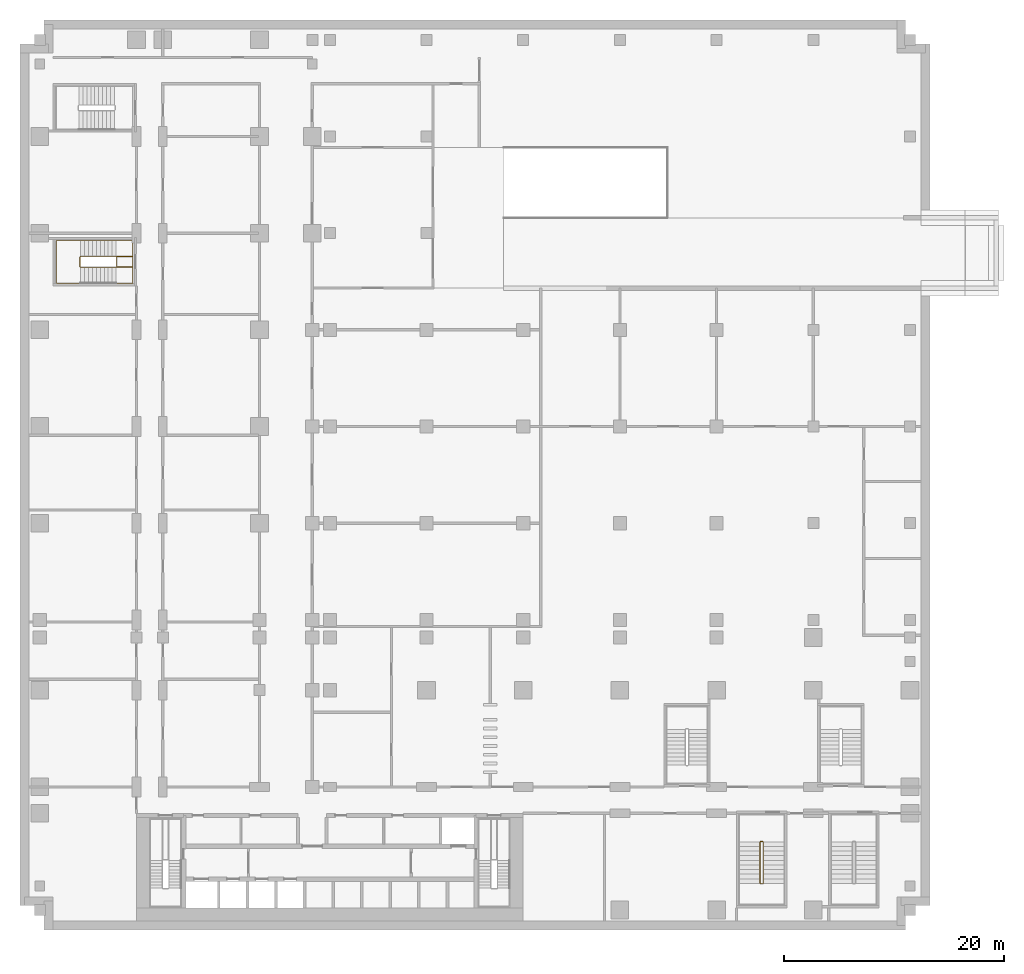
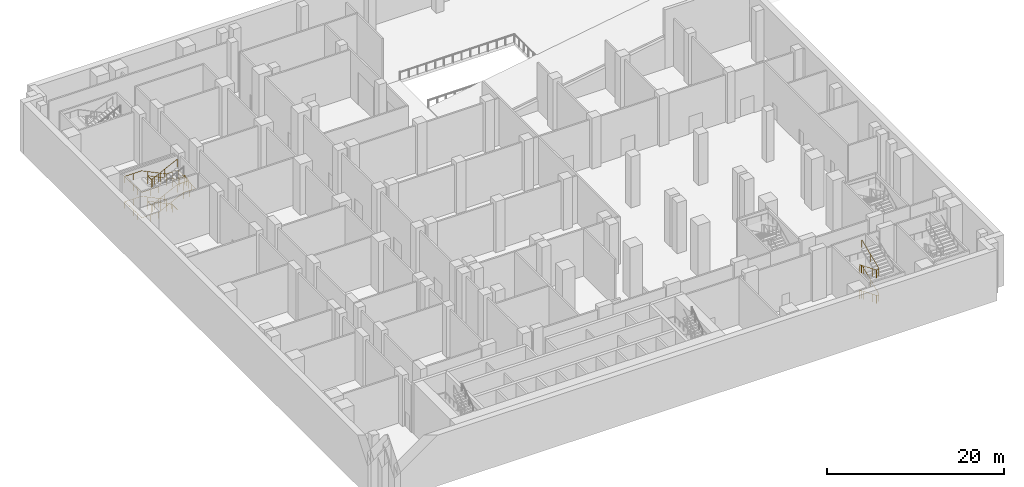
# One storey, part 13 of 15: 3 railings.
"""IFC4 building model written with IfcOpenShell, lengths in metres."""

from ifc_helpers import new_model, si_unit, direction, frame, origin, origin_2d, place, context, subcontext, project, spatial, circle, extrude, material, type_object, element, save


model = new_model("IFC4")

# Units and contexts
model_context = context("Model", 3, precision=1e-05, world=origin(), true_north=direction((0.0, 1.0)))
body_context = subcontext(model_context, "Body", "Model", "MODEL_VIEW")
ifc_project = project(units=[si_unit("LENGTHUNIT", "METRE"), si_unit("AREAUNIT", "SQUARE_METRE"), si_unit("VOLUMEUNIT", "CUBIC_METRE"), si_unit("PLANEANGLEUNIT", "RADIAN"), si_unit("MASSUNIT", "GRAM", prefix="KILO")], contexts=[model_context])

# Site, building, storey
site_placement = place(None, origin())
site = spatial("IfcSite", under=ifc_project, at=site_placement, CompositionType="ELEMENT")
building_placement = place(site_placement, origin())
building = spatial("IfcBuilding", under=site, at=building_placement, Name="Kemantara Hotel Tower", CompositionType="ELEMENT")
storey_placement = place(building_placement, frame((0.0, 0.0, -7.0)))
storey = spatial("IfcBuildingStorey", under=building, at=storey_placement, Name="B1", CompositionType="ELEMENT", Elevation=-7.0)

# Railings
ifc_material = material(Name="Stainless steel balustrade", Category="steel")
railing_type_1 = type_object("IfcRailingType", Name="Stair guard 1100 mm", PredefinedType="GUARDRAIL", material=ifc_material)
railing_1_placement = place(storey_placement, frame((7.949951171875, 59.5, 7.0)))
element("IfcRailing", 1, at=railing_1_placement, inside=storey, type_object=railing_type_1, Name="B1 ST4 stair guard 1", PredefinedType="GUARDRAIL", context=body_context, shape_type="SweptSolid", body=[
    extrude(circle(Radius=0.02392578125, at=origin_2d()), frame((0.0, 0.0, 1.076171875), z_axis=(-0.899372665325, 0.0, -0.437182809435), x_axis=(0.0, -1.0, 0.0)), (0.0, 0.0, 1.0), 3.6025390625),
    extrude(circle(Radius=0.02392578125, at=origin_2d()), frame((-3.239990234375, 0.0, -0.4990234375), z_axis=(-0.265065253269, 0.265065253269, -0.927081885822), x_axis=(-0.707106781187, -0.707106781187, 0.0)), (0.0, 0.0, 1.0), 0.188720703125),
    extrude(circle(Radius=0.02392578125, at=origin_2d()), frame((-3.2900390625, 0.050048828125, -0.673828125), z_axis=(0.0, 1.0, 0.0), x_axis=(-1.0, 0.0, 0.0)), (0.0, 0.0, 1.0), 0.89990234375),
    extrude(circle(Radius=0.02392578125, at=origin_2d()), frame((-3.2900390625, 0.949951171875, -0.673828125), z_axis=(0.707106781187, 0.707106781187, 0.0), x_axis=(-0.707106781187, 0.707106781187, 0.0)), (0.0, 0.0, 1.0), 0.07080078125),
    extrude(circle(Radius=0.02392578125, at=origin_2d()), frame((-3.239990234375, 1.0, -0.673828125), z_axis=(0.899372665325, 0.0, -0.437182809435), x_axis=(0.0, 1.0, 0.0)), (0.0, 0.0, 1.0), 3.6025390625),
    extrude(circle(Radius=0.02392578125, at=origin_2d()), frame((0.0, 1.0, -2.2490234375), z_axis=(1.0, 0.0, 0.0), x_axis=(0.0, 1.0, 0.0)), (0.0, 0.0, 1.0), 1.530029296875),
    extrude(circle(Radius=0.02392578125, at=origin_2d()), frame((1.530029296875, 1.0, -2.2490234375), z_axis=(0.0, -0.983442521697, -0.181220325895), x_axis=(1.0, 0.0, 0.0)), (0.0, 0.0, 1.0), 0.966064453125),
    extrude(circle(Radius=0.02392578125, at=origin_2d()), frame((1.530029296875, 0.050048828125, -2.423828125), z_axis=(-1.0, 0.0, 0.0), x_axis=(0.0, -1.0, 0.0)), (0.0, 0.0, 1.0), 1.47998046875),
    extrude(circle(Radius=0.02392578125, at=origin_2d()), frame((0.050048828125, 0.050048828125, -2.423828125), z_axis=(0.0, 1.0, 0.0), x_axis=(-1.0, 0.0, 0.0)), (0.0, 0.0, 1.0), 0.89990234375),
    extrude(circle(Radius=0.02392578125, at=origin_2d()), frame((0.050048828125, 0.949951171875, -2.423828125), z_axis=(1.0, 0.0, 0.0), x_axis=(0.0, 1.0, 0.0)), (0.0, 0.0, 1.0), 1.47998046875),
    extrude(circle(Radius=0.02392578125, at=origin_2d()), frame((1.530029296875, 0.949951171875, -2.423828125), z_axis=(0.0, -1.0, 0.0), x_axis=(1.0, 0.0, 0.0)), (0.0, 0.0, 1.0), 0.949951171875),
    extrude(circle(Radius=0.02392578125, at=origin_2d()), frame((1.530029296875, 0.0, -2.423828125), z_axis=(-1.0, 0.0, 0.0), x_axis=(0.0, -1.0, 0.0)), (0.0, 0.0, 1.0), 1.530029296875),
    extrude(circle(Radius=0.02392578125, at=origin_2d()), frame((0.0, 0.0, -2.423828125), z_axis=(-0.899372665325, 0.0, -0.437182809435), x_axis=(0.0, -1.0, 0.0)), (0.0, 0.0, 1.0), 3.6025390625),
    extrude(circle(Radius=0.02392578125, at=origin_2d()), frame((-3.239990234375, 0.0, -3.9990234375), z_axis=(-0.265065253269, 0.265065253269, -0.927081885822), x_axis=(-0.707106781187, -0.707106781187, 0.0)), (0.0, 0.0, 1.0), 0.188720703125),
    extrude(circle(Radius=0.02392578125, at=origin_2d()), frame((-3.2900390625, 0.050048828125, -4.173828125), z_axis=(0.0, 1.0, 0.0), x_axis=(-1.0, 0.0, 0.0)), (0.0, 0.0, 1.0), 0.89990234375),
    extrude(circle(Radius=0.02392578125, at=origin_2d()), frame((-3.2900390625, 0.949951171875, -4.173828125), z_axis=(0.707106781187, 0.707106781187, 0.0), x_axis=(-0.707106781187, 0.707106781187, 0.0)), (0.0, 0.0, 1.0), 0.07080078125),
    extrude(circle(Radius=0.02392578125, at=origin_2d()), frame((-3.239990234375, 1.0, -4.173828125), z_axis=(0.899372665325, 0.0, -0.437182809435), x_axis=(0.0, 1.0, 0.0)), (0.0, 0.0, 1.0), 3.6025390625),
    extrude(circle(Radius=0.02392578125, at=origin_2d()), frame((0.0, 1.0, -5.7490234375), z_axis=(0.265065253269, -0.265065253269, -0.927081885822), x_axis=(0.707106781187, 0.707106781187, 0.0)), (0.0, 0.0, 1.0), 0.188720703125),
    extrude(circle(Radius=0.02392578125, at=origin_2d()), frame((0.050048828125, 0.949951171875, -5.923828125), z_axis=(0.0, -1.0, 0.0), x_axis=(1.0, 0.0, 0.0)), (0.0, 0.0, 1.0), 0.89990234375),
    extrude(circle(Radius=0.02099609375, at=origin_2d()), origin(), (0.0, 0.0, 1.0), 1.052001953125),
    extrude(circle(Radius=0.02099609375, at=origin_2d()), frame((-0.81005859375, 0.0, -0.393798828125)), (0.0, 0.0, 1.0), 1.052001953125),
    extrude(circle(Radius=0.02099609375, at=origin_2d()), frame((-1.6201171875, 0.0, -0.78759765625)), (0.0, 0.0, 1.0), 1.052001953125),
    extrude(circle(Radius=0.02099609375, at=origin_2d()), frame((-2.429931640625, 0.0, -1.18115234375)), (0.0, 0.0, 1.0), 1.052001953125),
    extrude(circle(Radius=0.02099609375, at=origin_2d()), frame((-3.239990234375, 0.0, -1.574951171875)), (0.0, 0.0, 1.0), 1.052001953125),
    extrude(circle(Radius=0.02099609375, at=origin_2d()), frame((-3.2900390625, 0.050048828125, -1.75)), (0.0, 0.0, 1.0), 1.052001953125),
    extrude(circle(Radius=0.02099609375, at=origin_2d()), frame((-3.2900390625, 0.949951171875, -1.75)), (0.0, 0.0, 1.0), 1.052001953125),
    extrude(circle(Radius=0.02099609375, at=origin_2d()), frame((-3.239990234375, 1.0, -1.75)), (0.0, 0.0, 1.0), 1.052001953125),
    extrude(circle(Radius=0.02099609375, at=origin_2d()), frame((-2.429931640625, 1.0, -2.143798828125)), (0.0, 0.0, 1.0), 1.052001953125),
    extrude(circle(Radius=0.02099609375, at=origin_2d()), frame((-1.6201171875, 1.0, -2.53759765625)), (0.0, 0.0, 1.0), 1.052001953125),
    extrude(circle(Radius=0.02099609375, at=origin_2d()), frame((-0.81005859375, 1.0, -2.93115234375)), (0.0, 0.0, 1.0), 1.052001953125),
    extrude(circle(Radius=0.02099609375, at=origin_2d()), frame((0.0, 1.0, -3.324951171875)), (0.0, 0.0, 1.0), 1.052001953125),
    extrude(circle(Radius=0.02099609375, at=origin_2d()), frame((0.76513671875, 1.0, -3.324951171875)), (0.0, 0.0, 1.0), 1.052001953125),
    extrude(circle(Radius=0.02099609375, at=origin_2d()), frame((1.530029296875, 1.0, -3.324951171875)), (0.0, 0.0, 1.0), 1.052001953125),
    extrude(circle(Radius=0.02099609375, at=origin_2d()), frame((1.530029296875, 0.050048828125, -3.5)), (0.0, 0.0, 1.0), 1.052001953125),
    extrude(circle(Radius=0.02099609375, at=origin_2d()), frame((0.7900390625, 0.050048828125, -3.5)), (0.0, 0.0, 1.0), 1.052001953125),
    extrude(circle(Radius=0.02099609375, at=origin_2d()), frame((0.050048828125, 0.050048828125, -3.5)), (0.0, 0.0, 1.0), 1.052001953125),
    extrude(circle(Radius=0.02099609375, at=origin_2d()), frame((0.050048828125, 0.949951171875, -3.5)), (0.0, 0.0, 1.0), 1.052001953125),
    extrude(circle(Radius=0.02099609375, at=origin_2d()), frame((0.7900390625, 0.949951171875, -3.5)), (0.0, 0.0, 1.0), 1.052001953125),
    extrude(circle(Radius=0.02099609375, at=origin_2d()), frame((1.530029296875, 0.949951171875, -3.5)), (0.0, 0.0, 1.0), 1.052001953125),
    extrude(circle(Radius=0.02099609375, at=origin_2d()), frame((1.530029296875, 0.0, -3.5)), (0.0, 0.0, 1.0), 1.052001953125),
    extrude(circle(Radius=0.02099609375, at=origin_2d()), frame((0.76513671875, 0.0, -3.5)), (0.0, 0.0, 1.0), 1.052001953125),
    extrude(circle(Radius=0.02099609375, at=origin_2d()), frame((0.0, 0.0, -3.5)), (0.0, 0.0, 1.0), 1.052001953125),
    extrude(circle(Radius=0.02099609375, at=origin_2d()), frame((-0.81005859375, 0.0, -3.893798828125)), (0.0, 0.0, 1.0), 1.052001953125),
    extrude(circle(Radius=0.02099609375, at=origin_2d()), frame((-1.6201171875, 0.0, -4.28759765625)), (0.0, 0.0, 1.0), 1.052001953125),
    extrude(circle(Radius=0.02099609375, at=origin_2d()), frame((-2.429931640625, 0.0, -4.68115234375)), (0.0, 0.0, 1.0), 1.052001953125),
    extrude(circle(Radius=0.02099609375, at=origin_2d()), frame((-3.239990234375, 0.0, -5.074951171875)), (0.0, 0.0, 1.0), 1.052001953125),
    extrude(circle(Radius=0.02099609375, at=origin_2d()), frame((-3.2900390625, 0.050048828125, -5.25)), (0.0, 0.0, 1.0), 1.052001953125),
    extrude(circle(Radius=0.02099609375, at=origin_2d()), frame((-3.2900390625, 0.949951171875, -5.25)), (0.0, 0.0, 1.0), 1.052001953125),
    extrude(circle(Radius=0.02099609375, at=origin_2d()), frame((-3.239990234375, 1.0, -5.25)), (0.0, 0.0, 1.0), 1.052001953125),
    extrude(circle(Radius=0.02099609375, at=origin_2d()), frame((-2.429931640625, 1.0, -5.643798828125)), (0.0, 0.0, 1.0), 1.052001953125),
    extrude(circle(Radius=0.02099609375, at=origin_2d()), frame((-1.6201171875, 1.0, -6.03759765625)), (0.0, 0.0, 1.0), 1.052001953125),
    extrude(circle(Radius=0.02099609375, at=origin_2d()), frame((-0.81005859375, 1.0, -6.43115234375)), (0.0, 0.0, 1.0), 1.052001953125),
    extrude(circle(Radius=0.02099609375, at=origin_2d()), frame((0.0, 1.0, -6.824951171875)), (0.0, 0.0, 1.0), 1.052001953125),
    extrude(circle(Radius=0.02099609375, at=origin_2d()), frame((0.050048828125, 0.949951171875, -7.0)), (0.0, 0.0, 1.0), 1.052001953125),
    extrude(circle(Radius=0.02099609375, at=origin_2d()), frame((0.050048828125, 0.050048828125, -7.0)), (0.0, 0.0, 1.0), 1.052001953125),
])
railing_2_placement = place(storey_placement, frame((66.85009765625, 7.199951171875, 7.0)))
element("IfcRailing", 2, at=railing_2_placement, inside=storey, type_object=railing_type_1, Name="B1 PS4 stair guard 1", PredefinedType="GUARDRAIL", context=body_context, shape_type="SweptSolid", body=[
    extrude(circle(Radius=0.02392578125, at=origin_2d()), frame((0.0, 0.0, 1.076171875), z_axis=(0.0, -0.923082214624, -0.384602684657), x_axis=(1.0, 0.0, 0.0)), (0.0, 0.0, 1.0), 4.094970703125),
    extrude(circle(Radius=0.02392578125, at=origin_2d()), frame((0.0, -3.780029296875, -0.4990234375), z_axis=(-0.265155923931, -0.263862480399, -0.927399011991), x_axis=(0.705375805398, -0.708833529934, 0.0)), (0.0, 0.0, 1.0), 0.188720703125),
    extrude(circle(Radius=0.02392578125, at=origin_2d()), frame((-0.050048828125, -3.829833984375, -0.673828125), z_axis=(-1.0, 0.0, 0.0), x_axis=(0.0, -1.0, 0.0)), (0.0, 0.0, 1.0), 0.199951171875),
    extrude(circle(Radius=0.02392578125, at=origin_2d()), frame((-0.25, -3.829833984375, -0.673828125), z_axis=(-0.708833529934, 0.705375805398, 0.0), x_axis=(-0.705375805398, -0.708833529934, 0.0)), (0.0, 0.0, 1.0), 0.070556640625),
    extrude(circle(Radius=0.02392578125, at=origin_2d()), frame((-0.300048828125, -3.780029296875, -0.673828125), z_axis=(0.0, 0.923082214624, -0.384602684657), x_axis=(-1.0, 0.0, 0.0)), (0.0, 0.0, 1.0), 4.094970703125),
    extrude(circle(Radius=0.02392578125, at=origin_2d()), frame((-0.300048828125, 0.0, -2.2490234375), z_axis=(0.808359196486, 0.161829721953, -0.566009320196), x_axis=(-0.196300278283, 0.98054382908, 0.0)), (0.0, 0.0, 1.0), 0.309326171875),
    extrude(circle(Radius=0.02392578125, at=origin_2d()), frame((-0.050048828125, 0.050048828125, -2.423828125), z_axis=(-1.0, 0.0, 0.0), x_axis=(0.0, -1.0, 0.0)), (0.0, 0.0, 1.0), 0.199951171875),
    extrude(circle(Radius=0.02392578125, at=origin_2d()), frame((-0.25, 0.050048828125, -2.423828125), z_axis=(0.98054382908, -0.196300278283, 0.0), x_axis=(0.196300278283, 0.98054382908, 0.0)), (0.0, 0.0, 1.0), 0.2548828125),
    extrude(circle(Radius=0.02392578125, at=origin_2d()), frame((0.0, 0.0, -2.423828125), z_axis=(0.0, -0.923082214624, -0.384602684657), x_axis=(1.0, 0.0, 0.0)), (0.0, 0.0, 1.0), 4.094970703125),
    extrude(circle(Radius=0.02392578125, at=origin_2d()), frame((0.0, -3.780029296875, -3.9990234375), z_axis=(-0.265155923931, -0.263862480399, -0.927399011991), x_axis=(0.705375805398, -0.708833529934, 0.0)), (0.0, 0.0, 1.0), 0.188720703125),
    extrude(circle(Radius=0.02392578125, at=origin_2d()), frame((-0.050048828125, -3.829833984375, -4.173828125), z_axis=(-1.0, 0.0, 0.0), x_axis=(0.0, -1.0, 0.0)), (0.0, 0.0, 1.0), 0.199951171875),
    extrude(circle(Radius=0.02392578125, at=origin_2d()), frame((-0.25, -3.829833984375, -4.173828125), z_axis=(-0.708833529934, 0.705375805398, 0.0), x_axis=(-0.705375805398, -0.708833529934, 0.0)), (0.0, 0.0, 1.0), 0.070556640625),
    extrude(circle(Radius=0.02392578125, at=origin_2d()), frame((-0.300048828125, -3.780029296875, -4.173828125), z_axis=(0.0, 0.923082214624, -0.384602684657), x_axis=(-1.0, 0.0, 0.0)), (0.0, 0.0, 1.0), 4.094970703125),
    extrude(circle(Radius=0.02392578125, at=origin_2d()), frame((-0.300048828125, 0.0, -5.7490234375), z_axis=(0.265065253269, 0.265065253269, -0.927081885822), x_axis=(-0.707106781187, 0.707106781187, 0.0)), (0.0, 0.0, 1.0), 0.188720703125),
    extrude(circle(Radius=0.02392578125, at=origin_2d()), frame((-0.25, 0.050048828125, -5.923828125), z_axis=(1.0, 0.0, 0.0), x_axis=(0.0, 1.0, 0.0)), (0.0, 0.0, 1.0), 0.199951171875),
    extrude(circle(Radius=0.02099609375, at=origin_2d()), origin(), (0.0, 0.0, 1.0), 1.052001953125),
    extrude(circle(Radius=0.02099609375, at=origin_2d()), frame((0.0, -0.945068359375, -0.393798828125)), (0.0, 0.0, 1.0), 1.052001953125),
    extrude(circle(Radius=0.02099609375, at=origin_2d()), frame((0.0, -1.89013671875, -0.78759765625)), (0.0, 0.0, 1.0), 1.052001953125),
    extrude(circle(Radius=0.02099609375, at=origin_2d()), frame((0.0, -2.8349609375, -1.18115234375)), (0.0, 0.0, 1.0), 1.052001953125),
    extrude(circle(Radius=0.02099609375, at=origin_2d()), frame((0.0, -3.780029296875, -1.574951171875)), (0.0, 0.0, 1.0), 1.052001953125),
    extrude(circle(Radius=0.02099609375, at=origin_2d()), frame((-0.050048828125, -3.829833984375, -1.75)), (0.0, 0.0, 1.0), 1.052001953125),
    extrude(circle(Radius=0.02099609375, at=origin_2d()), frame((-0.25, -3.829833984375, -1.75)), (0.0, 0.0, 1.0), 1.052001953125),
    extrude(circle(Radius=0.02099609375, at=origin_2d()), frame((-0.300048828125, -3.780029296875, -1.75)), (0.0, 0.0, 1.0), 1.052001953125),
    extrude(circle(Radius=0.02099609375, at=origin_2d()), frame((-0.300048828125, -2.8349609375, -2.143798828125)), (0.0, 0.0, 1.0), 1.052001953125),
    extrude(circle(Radius=0.02099609375, at=origin_2d()), frame((-0.300048828125, -1.89013671875, -2.53759765625)), (0.0, 0.0, 1.0), 1.052001953125),
    extrude(circle(Radius=0.02099609375, at=origin_2d()), frame((-0.300048828125, -0.945068359375, -2.93115234375)), (0.0, 0.0, 1.0), 1.052001953125),
    extrude(circle(Radius=0.02099609375, at=origin_2d()), frame((-0.300048828125, 0.0, -3.324951171875)), (0.0, 0.0, 1.0), 1.052001953125),
    extrude(circle(Radius=0.02099609375, at=origin_2d()), frame((-0.050048828125, 0.050048828125, -3.5)), (0.0, 0.0, 1.0), 1.052001953125),
    extrude(circle(Radius=0.02099609375, at=origin_2d()), frame((-0.25, 0.050048828125, -3.5)), (0.0, 0.0, 1.0), 1.052001953125),
    extrude(circle(Radius=0.02099609375, at=origin_2d()), frame((0.0, 0.0, -3.5)), (0.0, 0.0, 1.0), 1.052001953125),
    extrude(circle(Radius=0.02099609375, at=origin_2d()), frame((0.0, -0.945068359375, -3.893798828125)), (0.0, 0.0, 1.0), 1.052001953125),
    extrude(circle(Radius=0.02099609375, at=origin_2d()), frame((0.0, -1.89013671875, -4.28759765625)), (0.0, 0.0, 1.0), 1.052001953125),
    extrude(circle(Radius=0.02099609375, at=origin_2d()), frame((0.0, -2.8349609375, -4.68115234375)), (0.0, 0.0, 1.0), 1.052001953125),
    extrude(circle(Radius=0.02099609375, at=origin_2d()), frame((0.0, -3.780029296875, -5.074951171875)), (0.0, 0.0, 1.0), 1.052001953125),
    extrude(circle(Radius=0.02099609375, at=origin_2d()), frame((-0.050048828125, -3.829833984375, -5.25)), (0.0, 0.0, 1.0), 1.052001953125),
    extrude(circle(Radius=0.02099609375, at=origin_2d()), frame((-0.25, -3.829833984375, -5.25)), (0.0, 0.0, 1.0), 1.052001953125),
    extrude(circle(Radius=0.02099609375, at=origin_2d()), frame((-0.300048828125, -3.780029296875, -5.25)), (0.0, 0.0, 1.0), 1.052001953125),
    extrude(circle(Radius=0.02099609375, at=origin_2d()), frame((-0.300048828125, -2.8349609375, -5.643798828125)), (0.0, 0.0, 1.0), 1.052001953125),
    extrude(circle(Radius=0.02099609375, at=origin_2d()), frame((-0.300048828125, -1.89013671875, -6.03759765625)), (0.0, 0.0, 1.0), 1.052001953125),
    extrude(circle(Radius=0.02099609375, at=origin_2d()), frame((-0.300048828125, -0.945068359375, -6.43115234375)), (0.0, 0.0, 1.0), 1.052001953125),
    extrude(circle(Radius=0.02099609375, at=origin_2d()), frame((-0.300048828125, 0.0, -6.824951171875)), (0.0, 0.0, 1.0), 1.052001953125),
    extrude(circle(Radius=0.02099609375, at=origin_2d()), frame((-0.25, 0.050048828125, -7.0)), (0.0, 0.0, 1.0), 1.052001953125),
    extrude(circle(Radius=0.02099609375, at=origin_2d()), frame((-0.050048828125, 0.050048828125, -7.0)), (0.0, 0.0, 1.0), 1.052001953125),
])
railing_type_2 = type_object("IfcRailingType", Name="Stair handrail 900 mm", PredefinedType="HANDRAIL", material=ifc_material)
railing_3_placement = place(storey_placement, frame((7.949951171875, 61.949951171875, 0.175048828125)))
element("IfcRailing", 3, at=railing_3_placement, inside=storey, type_object=railing_type_2, Name="B1 ST4 stair handrail 1", PredefinedType="HANDRAIL", context=body_context, shape_type="SweptSolid", body=[
    extrude(circle(Radius=0.02392578125, at=origin_2d()), frame((0.0, 0.0, 0.8759765625), z_axis=(-0.899372665325, 0.0, 0.437182809435), x_axis=(0.0, -1.0, 0.0)), (0.0, 0.0, 1.0), 3.6025390625),
    extrude(circle(Radius=0.02392578125, at=origin_2d()), frame((-3.239990234375, 0.0, 2.45068359375), z_axis=(-1.0, 0.0, 0.0), x_axis=(0.0, -1.0, 0.0)), (0.0, 0.0, 1.0), 2.18994140625),
    extrude(circle(Radius=0.02392578125, at=origin_2d()), frame((-5.429931640625, 0.0, 2.45068359375), z_axis=(0.0, -0.998994168274, 0.04484029164), x_axis=(1.0, 0.0, 0.0)), (0.0, 0.0, 1.0), 3.90380859375),
    extrude(circle(Radius=0.02392578125, at=origin_2d()), frame((-5.429931640625, -3.89990234375, 2.6259765625), z_axis=(1.0, 0.0, 0.0), x_axis=(0.0, 1.0, 0.0)), (0.0, 0.0, 1.0), 2.18994140625),
    extrude(circle(Radius=0.02392578125, at=origin_2d()), frame((-3.239990234375, -3.89990234375, 2.6259765625), z_axis=(0.899372665325, 0.0, 0.437182809435), x_axis=(0.0, 1.0, 0.0)), (0.0, 0.0, 1.0), 3.6025390625),
    extrude(circle(Radius=0.02392578125, at=origin_2d()), frame((0.0, -3.89990234375, 4.20068359375), z_axis=(1.0, 0.0, 0.0), x_axis=(0.0, 1.0, 0.0)), (0.0, 0.0, 1.0), 1.530029296875),
    extrude(circle(Radius=0.02392578125, at=origin_2d()), frame((1.530029296875, -3.89990234375, 4.20068359375), z_axis=(0.0, 0.998994168274, 0.04484029164), x_axis=(-1.0, 0.0, 0.0)), (0.0, 0.0, 1.0), 3.90380859375),
    extrude(circle(Radius=0.02392578125, at=origin_2d()), frame((1.530029296875, 0.0, 4.3759765625), z_axis=(-1.0, 0.0, 0.0), x_axis=(0.0, -1.0, 0.0)), (0.0, 0.0, 1.0), 1.530029296875),
    extrude(circle(Radius=0.02392578125, at=origin_2d()), frame((0.0, 0.0, 4.3759765625), z_axis=(-0.899372665325, 0.0, 0.437182809435), x_axis=(0.0, -1.0, 0.0)), (0.0, 0.0, 1.0), 3.6025390625),
    extrude(circle(Radius=0.02392578125, at=origin_2d()), frame((-3.239990234375, 0.0, 5.95068359375), z_axis=(-1.0, 0.0, 0.0), x_axis=(0.0, -1.0, 0.0)), (0.0, 0.0, 1.0), 2.18994140625),
    extrude(circle(Radius=0.02392578125, at=origin_2d()), frame((-5.429931640625, 0.0, 5.95068359375), z_axis=(0.0, -0.998994168274, 0.04484029164), x_axis=(1.0, 0.0, 0.0)), (0.0, 0.0, 1.0), 3.90380859375),
    extrude(circle(Radius=0.02392578125, at=origin_2d()), frame((-5.429931640625, -3.89990234375, 6.1259765625), z_axis=(1.0, 0.0, 0.0), x_axis=(0.0, 1.0, 0.0)), (0.0, 0.0, 1.0), 2.18994140625),
    extrude(circle(Radius=0.02099609375, at=origin_2d()), origin(), (0.0, 0.0, 1.0), 0.851806640625),
    extrude(circle(Radius=0.02099609375, at=origin_2d()), frame((-0.81005859375, 0.0, 0.393798828125)), (0.0, 0.0, 1.0), 0.851806640625),
    extrude(circle(Radius=0.02099609375, at=origin_2d()), frame((-1.6201171875, 0.0, 0.78759765625)), (0.0, 0.0, 1.0), 0.851806640625),
    extrude(circle(Radius=0.02099609375, at=origin_2d()), frame((-2.429931640625, 0.0, 1.18115234375)), (0.0, 0.0, 1.0), 0.851806640625),
    extrude(circle(Radius=0.02099609375, at=origin_2d()), frame((-3.239990234375, 0.0, 1.574951171875)), (0.0, 0.0, 1.0), 0.851806640625),
    extrude(circle(Radius=0.02099609375, at=origin_2d()), frame((-4.3349609375, 0.0, 1.574951171875)), (0.0, 0.0, 1.0), 0.851806640625),
    extrude(circle(Radius=0.02099609375, at=origin_2d()), frame((-5.429931640625, 0.0, 1.574951171875)), (0.0, 0.0, 1.0), 0.851806640625),
    extrude(circle(Radius=0.02099609375, at=origin_2d()), frame((-5.429931640625, -0.97509765625, 1.61865234375)), (0.0, 0.0, 1.0), 0.851806640625),
    extrude(circle(Radius=0.02099609375, at=origin_2d()), frame((-5.429931640625, -1.949951171875, 1.66259765625)), (0.0, 0.0, 1.0), 0.851806640625),
    extrude(circle(Radius=0.02099609375, at=origin_2d()), frame((-5.429931640625, -2.9248046875, 1.706298828125)), (0.0, 0.0, 1.0), 0.851806640625),
    extrude(circle(Radius=0.02099609375, at=origin_2d()), frame((-5.429931640625, -3.89990234375, 1.75)), (0.0, 0.0, 1.0), 0.851806640625),
    extrude(circle(Radius=0.02099609375, at=origin_2d()), frame((-4.3349609375, -3.89990234375, 1.75)), (0.0, 0.0, 1.0), 0.851806640625),
    extrude(circle(Radius=0.02099609375, at=origin_2d()), frame((-3.239990234375, -3.89990234375, 1.75)), (0.0, 0.0, 1.0), 0.851806640625),
    extrude(circle(Radius=0.02099609375, at=origin_2d()), frame((-2.429931640625, -3.89990234375, 2.143798828125)), (0.0, 0.0, 1.0), 0.851806640625),
    extrude(circle(Radius=0.02099609375, at=origin_2d()), frame((-1.6201171875, -3.89990234375, 2.53759765625)), (0.0, 0.0, 1.0), 0.851806640625),
    extrude(circle(Radius=0.02099609375, at=origin_2d()), frame((-0.81005859375, -3.89990234375, 2.93115234375)), (0.0, 0.0, 1.0), 0.851806640625),
    extrude(circle(Radius=0.02099609375, at=origin_2d()), frame((0.0, -3.89990234375, 3.324951171875)), (0.0, 0.0, 1.0), 0.851806640625),
    extrude(circle(Radius=0.02099609375, at=origin_2d()), frame((0.76513671875, -3.89990234375, 3.324951171875)), (0.0, 0.0, 1.0), 0.851806640625),
    extrude(circle(Radius=0.02099609375, at=origin_2d()), frame((1.530029296875, -3.89990234375, 3.324951171875)), (0.0, 0.0, 1.0), 0.851806640625),
    extrude(circle(Radius=0.02099609375, at=origin_2d()), frame((1.530029296875, -2.9248046875, 3.36865234375)), (0.0, 0.0, 1.0), 0.851806640625),
    extrude(circle(Radius=0.02099609375, at=origin_2d()), frame((1.530029296875, -1.949951171875, 3.41259765625)), (0.0, 0.0, 1.0), 0.851806640625),
    extrude(circle(Radius=0.02099609375, at=origin_2d()), frame((1.530029296875, -0.97509765625, 3.456298828125)), (0.0, 0.0, 1.0), 0.851806640625),
    extrude(circle(Radius=0.02099609375, at=origin_2d()), frame((1.530029296875, 0.0, 3.5)), (0.0, 0.0, 1.0), 0.851806640625),
    extrude(circle(Radius=0.02099609375, at=origin_2d()), frame((0.76513671875, 0.0, 3.5)), (0.0, 0.0, 1.0), 0.851806640625),
    extrude(circle(Radius=0.02099609375, at=origin_2d()), frame((0.0, 0.0, 3.5)), (0.0, 0.0, 1.0), 0.851806640625),
    extrude(circle(Radius=0.02099609375, at=origin_2d()), frame((-0.81005859375, 0.0, 3.893798828125)), (0.0, 0.0, 1.0), 0.851806640625),
    extrude(circle(Radius=0.02099609375, at=origin_2d()), frame((-1.6201171875, 0.0, 4.28759765625)), (0.0, 0.0, 1.0), 0.851806640625),
    extrude(circle(Radius=0.02099609375, at=origin_2d()), frame((-2.429931640625, 0.0, 4.68115234375)), (0.0, 0.0, 1.0), 0.851806640625),
    extrude(circle(Radius=0.02099609375, at=origin_2d()), frame((-3.239990234375, 0.0, 5.074951171875)), (0.0, 0.0, 1.0), 0.851806640625),
    extrude(circle(Radius=0.02099609375, at=origin_2d()), frame((-4.3349609375, 0.0, 5.074951171875)), (0.0, 0.0, 1.0), 0.851806640625),
    extrude(circle(Radius=0.02099609375, at=origin_2d()), frame((-5.429931640625, 0.0, 5.074951171875)), (0.0, 0.0, 1.0), 0.851806640625),
    extrude(circle(Radius=0.02099609375, at=origin_2d()), frame((-5.429931640625, -0.97509765625, 5.11865234375)), (0.0, 0.0, 1.0), 0.851806640625),
    extrude(circle(Radius=0.02099609375, at=origin_2d()), frame((-5.429931640625, -1.949951171875, 5.16259765625)), (0.0, 0.0, 1.0), 0.851806640625),
    extrude(circle(Radius=0.02099609375, at=origin_2d()), frame((-5.429931640625, -2.9248046875, 5.206298828125)), (0.0, 0.0, 1.0), 0.851806640625),
    extrude(circle(Radius=0.02099609375, at=origin_2d()), frame((-5.429931640625, -3.89990234375, 5.25)), (0.0, 0.0, 1.0), 0.851806640625),
    extrude(circle(Radius=0.02099609375, at=origin_2d()), frame((-4.3349609375, -3.89990234375, 5.25)), (0.0, 0.0, 1.0), 0.851806640625),
    extrude(circle(Radius=0.02099609375, at=origin_2d()), frame((-3.239990234375, -3.89990234375, 5.25)), (0.0, 0.0, 1.0), 0.851806640625),
])

save(model, "model.ifc")
